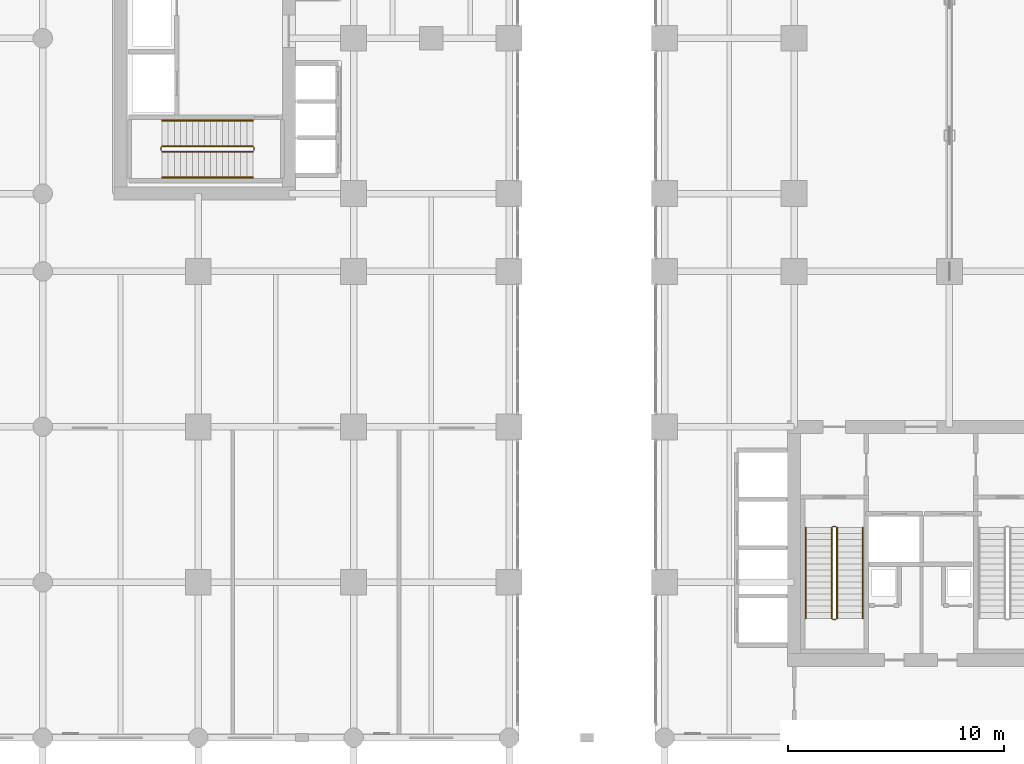
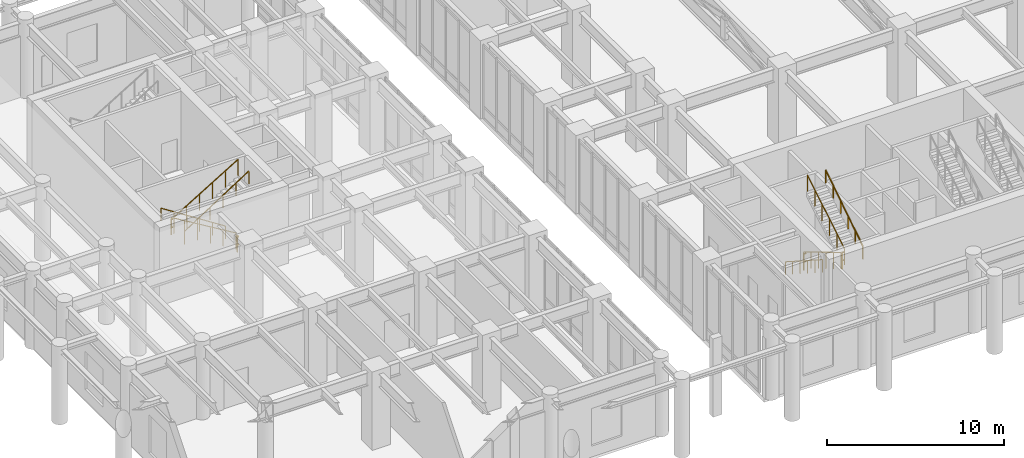
# One storey, part 21 of 24: 12 railings.
"""IFC4 building model written with IfcOpenShell, lengths in metres."""

from ifc_helpers import new_model, si_unit, derived_unit, direction, frame, origin, origin_2d, place, context, subcontext, project, spatial, rectangle, extrude, material, type_object, element, save


model = new_model("IFC4")

# Units and contexts
model_context = context("Model", 3, precision=1e-05, world=origin(), true_north=direction((0.0, 1.0)))
body_context = subcontext(model_context, "Body", "Model", "MODEL_VIEW")
ifc_project = project(units=[si_unit("LENGTHUNIT", "METRE"), si_unit("AREAUNIT", "SQUARE_METRE"), si_unit("VOLUMEUNIT", "CUBIC_METRE"), si_unit("PLANEANGLEUNIT", "RADIAN"), si_unit("MASSUNIT", "GRAM", prefix="KILO"), si_unit("THERMODYNAMICTEMPERATUREUNIT", "KELVIN"), si_unit("POWERUNIT", "WATT"), derived_unit("THERMALTRANSMITTANCEUNIT", [(si_unit("POWERUNIT", "WATT"), 1), (si_unit("AREAUNIT", "SQUARE_METRE"), -1), (si_unit("THERMODYNAMICTEMPERATUREUNIT", "KELVIN"), -1)])], contexts=[model_context])

# Site, building, storey
site_placement = place(None, origin())
site = spatial("IfcSite", under=ifc_project, at=site_placement, CompositionType="ELEMENT")
building_placement = place(site_placement, origin())
building = spatial("IfcBuilding", under=site, at=building_placement, Name="Zahravan Archway Hotel and Residences", CompositionType="ELEMENT")
storey_placement = place(building_placement, frame((0.0, 0.0, 10.800048828125)))
storey = spatial("IfcBuildingStorey", under=building, at=storey_placement, Name="L02", CompositionType="ELEMENT", Elevation=10.800048828125)

# Railings
ifc_material_1 = material(Name="Painted Tubular Steel", Category="steel")
railing_type_1 = type_object("IfcRailingType", Name="RL-STG-1150", PredefinedType="GUARDRAIL", material=ifc_material_1)
railing_1_placement = place(storey_placement, frame((36.550048828125, 9.72998046875, 0.168701171875)))
element("IfcRailing", 1, at=railing_1_placement, inside=storey, type_object=railing_type_1, Name="L02 ST-A1 stair guard 1", PredefinedType="GUARDRAIL", context=body_context, shape_type="SweptSolid", body=[
    extrude(rectangle(XDim=0.048095703125, YDim=0.048095703125, at=origin_2d()), frame((0.0, 0.0, 1.1259765625), z_axis=(0.0, -0.856476492594, 0.516186030065), x_axis=(1.0, 0.0, 0.0)), (0.0, 0.0, 1.0), 4.90380859375),
    extrude(rectangle(XDim=0.0419921875, YDim=0.0419921875, at=origin_2d()), origin(), (0.0, 0.0, 1.0), 1.101806640625),
    extrude(rectangle(XDim=0.0419921875, YDim=0.0419921875, at=origin_2d()), frame((0.0, -0.840087890625, 0.50634765625)), (0.0, 0.0, 1.0), 1.101806640625),
    extrude(rectangle(XDim=0.0419921875, YDim=0.0419921875, at=origin_2d()), frame((0.0, -1.679931640625, 1.012451171875)), (0.0, 0.0, 1.0), 1.101806640625),
    extrude(rectangle(XDim=0.0419921875, YDim=0.0419921875, at=origin_2d()), frame((0.0, -2.52001953125, 1.518798828125)), (0.0, 0.0, 1.0), 1.101806640625),
    extrude(rectangle(XDim=0.0419921875, YDim=0.0419921875, at=origin_2d()), frame((0.0, -3.35986328125, 2.02490234375)), (0.0, 0.0, 1.0), 1.101806640625),
    extrude(rectangle(XDim=0.0419921875, YDim=0.0419921875, at=origin_2d()), frame((0.0, -4.199951171875, 2.53125)), (0.0, 0.0, 1.0), 1.101806640625),
])
railing_2_placement = place(storey_placement, frame((36.60009765625, 5.47998046875, 2.699951171875)))
element("IfcRailing", 2, at=railing_2_placement, inside=storey, type_object=railing_type_1, Name="L02 ST-A1 stair guard 2", PredefinedType="GUARDRAIL", context=body_context, shape_type="SweptSolid", body=[
    extrude(rectangle(XDim=0.048095703125, YDim=0.048095703125, at=origin_2d()), frame((0.0, 0.0, 1.1259765625), z_axis=(1.0, 0.0, 0.0), x_axis=(0.0, 1.0, 0.0)), (0.0, 0.0, 1.0), 0.139892578125),
    extrude(rectangle(XDim=0.048095703125, YDim=0.048095703125, at=origin_2d()), frame((0.0, 0.0, 0.574951171875), z_axis=(1.0, 0.0, 0.0), x_axis=(0.0, 1.0, 0.0)), (0.0, 0.0, 1.0), 0.139892578125),
    extrude(rectangle(XDim=0.0419921875, YDim=0.0419921875, at=origin_2d()), origin(), (0.0, 0.0, 1.0), 1.101806640625),
])
railing_3_placement = place(storey_placement, frame((36.7900390625, 5.530029296875, 2.86865234375)))
element("IfcRailing", 3, at=railing_3_placement, inside=storey, type_object=railing_type_1, Name="L02 ST-A1 stair guard 3", PredefinedType="GUARDRAIL", context=body_context, shape_type="SweptSolid", body=[
    extrude(rectangle(XDim=0.048095703125, YDim=0.048095703125, at=origin_2d()), frame((0.0, 0.0, 1.1259765625), z_axis=(0.0, 0.856476492594, 0.516186030065), x_axis=(-1.0, 0.0, 0.0)), (0.0, 0.0, 1.0), 4.90380859375),
    extrude(rectangle(XDim=0.0419921875, YDim=0.0419921875, at=origin_2d()), origin(), (0.0, 0.0, 1.0), 1.101806640625),
    extrude(rectangle(XDim=0.0419921875, YDim=0.0419921875, at=origin_2d()), frame((0.0, 0.840087890625, 0.50634765625)), (0.0, 0.0, 1.0), 1.101806640625),
    extrude(rectangle(XDim=0.0419921875, YDim=0.0419921875, at=origin_2d()), frame((0.0, 1.679931640625, 1.012451171875)), (0.0, 0.0, 1.0), 1.101806640625),
    extrude(rectangle(XDim=0.0419921875, YDim=0.0419921875, at=origin_2d()), frame((0.0, 2.52001953125, 1.518798828125)), (0.0, 0.0, 1.0), 1.101806640625),
    extrude(rectangle(XDim=0.0419921875, YDim=0.0419921875, at=origin_2d()), frame((0.0, 3.35986328125, 2.02490234375)), (0.0, 0.0, 1.0), 1.101806640625),
    extrude(rectangle(XDim=0.0419921875, YDim=0.0419921875, at=origin_2d()), frame((0.0, 4.199951171875, 2.53125)), (0.0, 0.0, 1.0), 1.101806640625),
])
railing_4_placement = place(storey_placement, frame((36.60009765625, 9.780029296875, 0.0)))
element("IfcRailing", 4, at=railing_4_placement, inside=storey, type_object=railing_type_1, Name="L02 ST-A1 stair guard 4", PredefinedType="GUARDRAIL", context=body_context, shape_type="SweptSolid", body=[
    extrude(rectangle(XDim=0.048095703125, YDim=0.048095703125, at=origin_2d()), frame((0.0, 0.0, 1.1259765625), z_axis=(1.0, 0.0, 0.0), x_axis=(0.0, 1.0, 0.0)), (0.0, 0.0, 1.0), 0.139892578125),
    extrude(rectangle(XDim=0.048095703125, YDim=0.048095703125, at=origin_2d()), frame((0.0, 0.0, 0.574951171875), z_axis=(1.0, 0.0, 0.0), x_axis=(0.0, 1.0, 0.0)), (0.0, 0.0, 1.0), 0.139892578125),
    extrude(rectangle(XDim=0.0419921875, YDim=0.0419921875, at=origin_2d()), origin(), (0.0, 0.0, 1.0), 1.101806640625),
])
railing_5_placement = place(storey_placement, frame((9.72998046875, 27.389892578125, 0.168701171875)))
element("IfcRailing", 5, at=railing_5_placement, inside=storey, type_object=railing_type_1, Name="L02 ST-B1 stair guard 1", PredefinedType="GUARDRAIL", context=body_context, shape_type="SweptSolid", body=[
    extrude(rectangle(XDim=0.048095703125, YDim=0.048095703125, at=origin_2d()), frame((0.0, 0.0, 1.1259765625), z_axis=(-0.856476492594, 0.0, 0.516186030065), x_axis=(0.0, -1.0, 0.0)), (0.0, 0.0, 1.0), 4.90380859375),
    extrude(rectangle(XDim=0.0419921875, YDim=0.0419921875, at=origin_2d()), origin(), (0.0, 0.0, 1.0), 1.101806640625),
    extrude(rectangle(XDim=0.0419921875, YDim=0.0419921875, at=origin_2d()), frame((-0.840087890625, 0.0, 0.50634765625)), (0.0, 0.0, 1.0), 1.101806640625),
    extrude(rectangle(XDim=0.0419921875, YDim=0.0419921875, at=origin_2d()), frame((-1.679931640625, 0.0, 1.012451171875)), (0.0, 0.0, 1.0), 1.101806640625),
    extrude(rectangle(XDim=0.0419921875, YDim=0.0419921875, at=origin_2d()), frame((-2.52001953125, 0.0, 1.518798828125)), (0.0, 0.0, 1.0), 1.101806640625),
    extrude(rectangle(XDim=0.0419921875, YDim=0.0419921875, at=origin_2d()), frame((-3.35986328125, 0.0, 2.02490234375)), (0.0, 0.0, 1.0), 1.101806640625),
    extrude(rectangle(XDim=0.0419921875, YDim=0.0419921875, at=origin_2d()), frame((-4.199951171875, 0.0, 2.53125)), (0.0, 0.0, 1.0), 1.101806640625),
])
railing_6_placement = place(storey_placement, frame((5.47998046875, 27.340087890625, 2.699951171875)))
element("IfcRailing", 6, at=railing_6_placement, inside=storey, type_object=railing_type_1, Name="L02 ST-B1 stair guard 2", PredefinedType="GUARDRAIL", context=body_context, shape_type="SweptSolid", body=[
    extrude(rectangle(XDim=0.048095703125, YDim=0.048095703125, at=origin_2d()), frame((0.0, 0.0, 1.1259765625), z_axis=(0.0, -1.0, 0.0), x_axis=(1.0, 0.0, 0.0)), (0.0, 0.0, 1.0), 0.14013671875),
    extrude(rectangle(XDim=0.048095703125, YDim=0.048095703125, at=origin_2d()), frame((0.0, 0.0, 0.574951171875), z_axis=(0.0, -1.0, 0.0), x_axis=(1.0, 0.0, 0.0)), (0.0, 0.0, 1.0), 0.14013671875),
    extrude(rectangle(XDim=0.0419921875, YDim=0.0419921875, at=origin_2d()), origin(), (0.0, 0.0, 1.0), 1.101806640625),
])
railing_7_placement = place(storey_placement, frame((5.530029296875, 27.14990234375, 2.86865234375)))
element("IfcRailing", 7, at=railing_7_placement, inside=storey, type_object=railing_type_1, Name="L02 ST-B1 stair guard 3", PredefinedType="GUARDRAIL", context=body_context, shape_type="SweptSolid", body=[
    extrude(rectangle(XDim=0.048095703125, YDim=0.048095703125, at=origin_2d()), frame((0.0, 0.0, 1.1259765625), z_axis=(0.856476492594, 0.0, 0.516186030065), x_axis=(0.0, 1.0, 0.0)), (0.0, 0.0, 1.0), 4.90380859375),
    extrude(rectangle(XDim=0.0419921875, YDim=0.0419921875, at=origin_2d()), origin(), (0.0, 0.0, 1.0), 1.101806640625),
    extrude(rectangle(XDim=0.0419921875, YDim=0.0419921875, at=origin_2d()), frame((0.840087890625, 0.0, 0.50634765625)), (0.0, 0.0, 1.0), 1.101806640625),
    extrude(rectangle(XDim=0.0419921875, YDim=0.0419921875, at=origin_2d()), frame((1.679931640625, 0.0, 1.012451171875)), (0.0, 0.0, 1.0), 1.101806640625),
    extrude(rectangle(XDim=0.0419921875, YDim=0.0419921875, at=origin_2d()), frame((2.52001953125, 0.0, 1.518798828125)), (0.0, 0.0, 1.0), 1.101806640625),
    extrude(rectangle(XDim=0.0419921875, YDim=0.0419921875, at=origin_2d()), frame((3.35986328125, 0.0, 2.02490234375)), (0.0, 0.0, 1.0), 1.101806640625),
    extrude(rectangle(XDim=0.0419921875, YDim=0.0419921875, at=origin_2d()), frame((4.199951171875, 0.0, 2.53125)), (0.0, 0.0, 1.0), 1.101806640625),
])
railing_8_placement = place(storey_placement, frame((9.780029296875, 27.340087890625, 0.0)))
element("IfcRailing", 8, at=railing_8_placement, inside=storey, type_object=railing_type_1, Name="L02 ST-B1 stair guard 4", PredefinedType="GUARDRAIL", context=body_context, shape_type="SweptSolid", body=[
    extrude(rectangle(XDim=0.048095703125, YDim=0.048095703125, at=origin_2d()), frame((0.0, 0.0, 1.1259765625), z_axis=(0.0, -1.0, 0.0), x_axis=(1.0, 0.0, 0.0)), (0.0, 0.0, 1.0), 0.14013671875),
    extrude(rectangle(XDim=0.048095703125, YDim=0.048095703125, at=origin_2d()), frame((0.0, 0.0, 0.574951171875), z_axis=(0.0, -1.0, 0.0), x_axis=(1.0, 0.0, 0.0)), (0.0, 0.0, 1.0), 0.14013671875),
    extrude(rectangle(XDim=0.0419921875, YDim=0.0419921875, at=origin_2d()), origin(), (0.0, 0.0, 1.0), 1.101806640625),
])
ifc_material_2 = material(Name="Brushed Stainless Steel", Category="steel")
railing_type_2 = type_object("IfcRailingType", Name="RL-STH-900", PredefinedType="HANDRAIL", material=ifc_material_2)
railing_9_placement = place(storey_placement, frame((35.35009765625, 9.72998046875, 0.168701171875)))
element("IfcRailing", 9, at=railing_9_placement, inside=storey, type_object=railing_type_2, Name="L02 ST-A1 stair handrail 1", PredefinedType="HANDRAIL", context=body_context, shape_type="SweptSolid", body=[
    extrude(rectangle(XDim=0.048095703125, YDim=0.048095703125, at=origin_2d()), frame((0.0, 0.0, 0.8759765625), z_axis=(0.0, -0.841180064094, 0.540755119968), x_axis=(1.0, 0.0, 0.0)), (0.0, 0.0, 1.0), 4.992919921875),
    extrude(rectangle(XDim=0.0419921875, YDim=0.0419921875, at=origin_2d()), origin(), (0.0, 0.0, 1.0), 0.851806640625),
    extrude(rectangle(XDim=0.0419921875, YDim=0.0419921875, at=origin_2d()), frame((0.0, -0.840087890625, 0.5400390625)), (0.0, 0.0, 1.0), 0.851806640625),
    extrude(rectangle(XDim=0.0419921875, YDim=0.0419921875, at=origin_2d()), frame((0.0, -1.679931640625, 1.080078125)), (0.0, 0.0, 1.0), 0.851806640625),
    extrude(rectangle(XDim=0.0419921875, YDim=0.0419921875, at=origin_2d()), frame((0.0, -2.52001953125, 1.619873046875)), (0.0, 0.0, 1.0), 0.851806640625),
    extrude(rectangle(XDim=0.0419921875, YDim=0.0419921875, at=origin_2d()), frame((0.0, -3.35986328125, 2.159912109375)), (0.0, 0.0, 1.0), 0.851806640625),
    extrude(rectangle(XDim=0.0419921875, YDim=0.0419921875, at=origin_2d()), frame((0.0, -4.199951171875, 2.699951171875)), (0.0, 0.0, 1.0), 0.851806640625),
])
railing_10_placement = place(storey_placement, frame((37.989990234375, 5.530029296875, 2.86865234375)))
element("IfcRailing", 10, at=railing_10_placement, inside=storey, type_object=railing_type_2, Name="L02 ST-A1 stair handrail 2", PredefinedType="HANDRAIL", context=body_context, shape_type="SweptSolid", body=[
    extrude(rectangle(XDim=0.048095703125, YDim=0.048095703125, at=origin_2d()), frame((0.0, 0.0, 0.8759765625), z_axis=(0.0, 0.841180064094, 0.540755119968), x_axis=(-1.0, 0.0, 0.0)), (0.0, 0.0, 1.0), 4.992919921875),
    extrude(rectangle(XDim=0.0419921875, YDim=0.0419921875, at=origin_2d()), origin(), (0.0, 0.0, 1.0), 0.851806640625),
    extrude(rectangle(XDim=0.0419921875, YDim=0.0419921875, at=origin_2d()), frame((0.0, 0.840087890625, 0.5400390625)), (0.0, 0.0, 1.0), 0.851806640625),
    extrude(rectangle(XDim=0.0419921875, YDim=0.0419921875, at=origin_2d()), frame((0.0, 1.679931640625, 1.080078125)), (0.0, 0.0, 1.0), 0.851806640625),
    extrude(rectangle(XDim=0.0419921875, YDim=0.0419921875, at=origin_2d()), frame((0.0, 2.52001953125, 1.619873046875)), (0.0, 0.0, 1.0), 0.851806640625),
    extrude(rectangle(XDim=0.0419921875, YDim=0.0419921875, at=origin_2d()), frame((0.0, 3.35986328125, 2.159912109375)), (0.0, 0.0, 1.0), 0.851806640625),
    extrude(rectangle(XDim=0.0419921875, YDim=0.0419921875, at=origin_2d()), frame((0.0, 4.199951171875, 2.699951171875)), (0.0, 0.0, 1.0), 0.851806640625),
])
railing_11_placement = place(storey_placement, frame((9.72998046875, 28.590087890625, 0.168701171875)))
element("IfcRailing", 11, at=railing_11_placement, inside=storey, type_object=railing_type_2, Name="L02 ST-B1 stair handrail 1", PredefinedType="HANDRAIL", context=body_context, shape_type="SweptSolid", body=[
    extrude(rectangle(XDim=0.048095703125, YDim=0.048095703125, at=origin_2d()), frame((0.0, 0.0, 0.8759765625), z_axis=(-0.841180064094, 0.0, 0.540755119968), x_axis=(0.0, -1.0, 0.0)), (0.0, 0.0, 1.0), 4.992919921875),
    extrude(rectangle(XDim=0.0419921875, YDim=0.0419921875, at=origin_2d()), origin(), (0.0, 0.0, 1.0), 0.851806640625),
    extrude(rectangle(XDim=0.0419921875, YDim=0.0419921875, at=origin_2d()), frame((-0.840087890625, 0.0, 0.5400390625)), (0.0, 0.0, 1.0), 0.851806640625),
    extrude(rectangle(XDim=0.0419921875, YDim=0.0419921875, at=origin_2d()), frame((-1.679931640625, 0.0, 1.080078125)), (0.0, 0.0, 1.0), 0.851806640625),
    extrude(rectangle(XDim=0.0419921875, YDim=0.0419921875, at=origin_2d()), frame((-2.52001953125, 0.0, 1.619873046875)), (0.0, 0.0, 1.0), 0.851806640625),
    extrude(rectangle(XDim=0.0419921875, YDim=0.0419921875, at=origin_2d()), frame((-3.35986328125, 0.0, 2.159912109375)), (0.0, 0.0, 1.0), 0.851806640625),
    extrude(rectangle(XDim=0.0419921875, YDim=0.0419921875, at=origin_2d()), frame((-4.199951171875, 0.0, 2.699951171875)), (0.0, 0.0, 1.0), 0.851806640625),
])
railing_12_placement = place(storey_placement, frame((5.530029296875, 25.949951171875, 2.86865234375)))
element("IfcRailing", 12, at=railing_12_placement, inside=storey, type_object=railing_type_2, Name="L02 ST-B1 stair handrail 2", PredefinedType="HANDRAIL", context=body_context, shape_type="SweptSolid", body=[
    extrude(rectangle(XDim=0.048095703125, YDim=0.048095703125, at=origin_2d()), frame((0.0, 0.0, 0.8759765625), z_axis=(0.841180064094, 0.0, 0.540755119968), x_axis=(0.0, 1.0, 0.0)), (0.0, 0.0, 1.0), 4.992919921875),
    extrude(rectangle(XDim=0.0419921875, YDim=0.0419921875, at=origin_2d()), origin(), (0.0, 0.0, 1.0), 0.851806640625),
    extrude(rectangle(XDim=0.0419921875, YDim=0.0419921875, at=origin_2d()), frame((0.840087890625, 0.0, 0.5400390625)), (0.0, 0.0, 1.0), 0.851806640625),
    extrude(rectangle(XDim=0.0419921875, YDim=0.0419921875, at=origin_2d()), frame((1.679931640625, 0.0, 1.080078125)), (0.0, 0.0, 1.0), 0.851806640625),
    extrude(rectangle(XDim=0.0419921875, YDim=0.0419921875, at=origin_2d()), frame((2.52001953125, 0.0, 1.619873046875)), (0.0, 0.0, 1.0), 0.851806640625),
    extrude(rectangle(XDim=0.0419921875, YDim=0.0419921875, at=origin_2d()), frame((3.35986328125, 0.0, 2.159912109375)), (0.0, 0.0, 1.0), 0.851806640625),
    extrude(rectangle(XDim=0.0419921875, YDim=0.0419921875, at=origin_2d()), frame((4.199951171875, 0.0, 2.699951171875)), (0.0, 0.0, 1.0), 0.851806640625),
])

save(model, "model.ifc")
